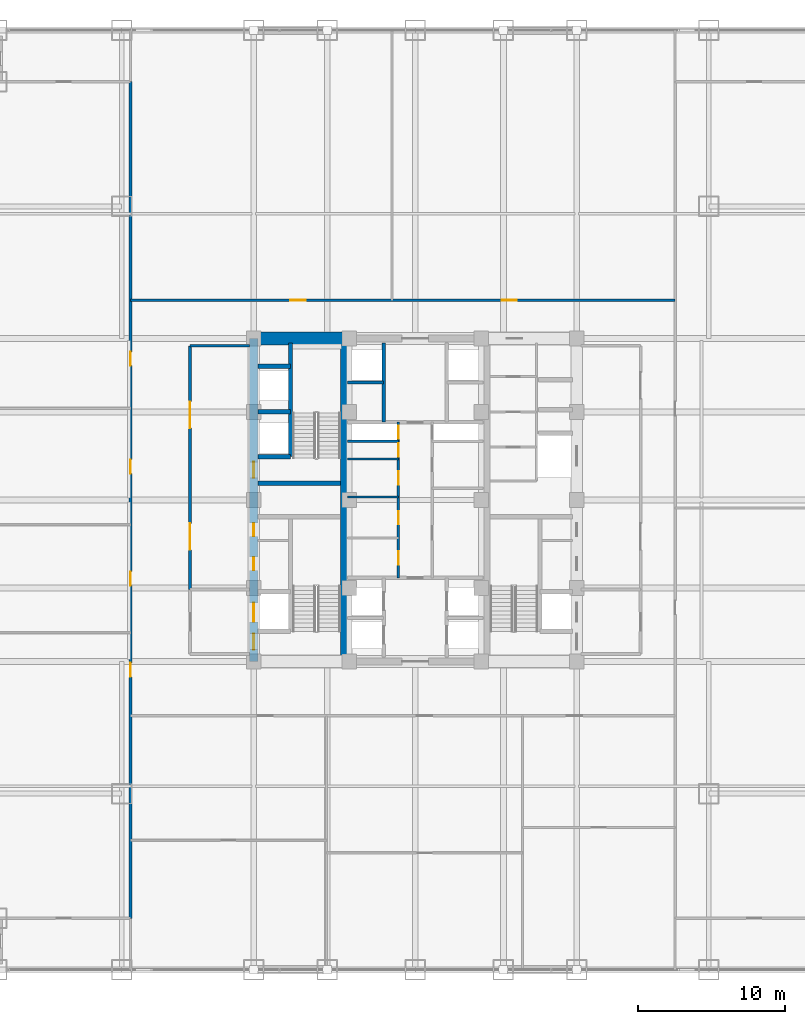
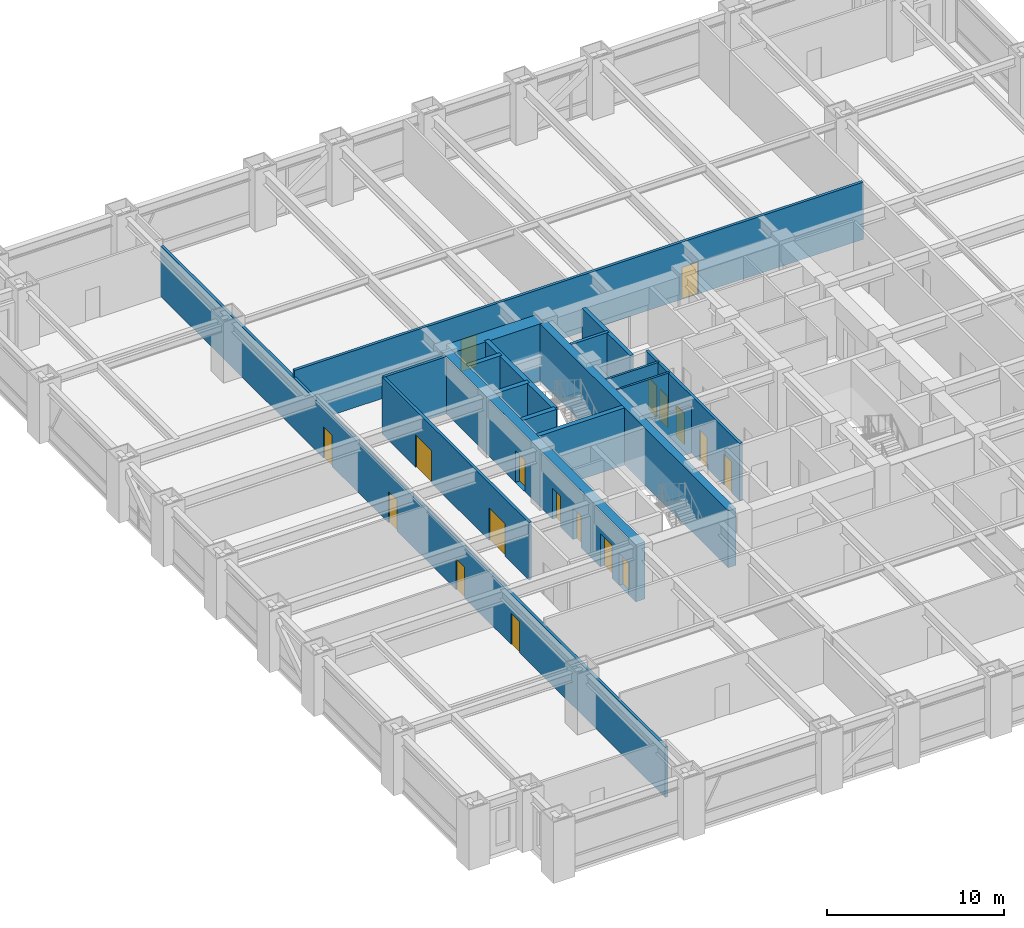
# One storey, part 25 of 28: 18 doors, 18 walls, 18 openings.
"""IFC4 building model written with IfcOpenShell, lengths in metres."""

from ifc_helpers import new_model, si_unit, direction, frame, frame_2d, origin, place, context, subcontext, project, spatial, rectangle, extrude, source, transform, mapped, material, layer, layer_set, type_object, element, fill, save


model = new_model("IFC4")

# Units and contexts
model_context = context("Model", 3, precision=1e-05, world=origin(), true_north=direction((0.0, 1.0)))
body_context = subcontext(model_context, "Body", "Model", "MODEL_VIEW")
ifc_project = project(units=[si_unit("LENGTHUNIT", "METRE"), si_unit("AREAUNIT", "SQUARE_METRE"), si_unit("VOLUMEUNIT", "CUBIC_METRE"), si_unit("PLANEANGLEUNIT", "RADIAN"), si_unit("MASSUNIT", "GRAM", prefix="KILO")], contexts=[model_context])

# Site, building, storey
site_placement = place(None, origin())
site = spatial("IfcSite", under=ifc_project, at=site_placement, CompositionType="ELEMENT")
building_placement = place(site_placement, origin())
building = spatial("IfcBuilding", under=site, at=building_placement, Name="Khorayat Bourse Tower", CompositionType="ELEMENT")
storey_placement = place(building_placement, frame((0.0, 0.0, 66.199951171875)))
storey = spatial("IfcBuildingStorey", under=building, at=storey_placement, Name="L14", CompositionType="ELEMENT", Elevation=66.199951171875)

# Wall, openings, doors
ifc_material_1 = material(Name="Concrete C60/75", Category="concrete")
ifc_layer_1 = layer(ifc_material_1, 0.60009765625)
ifc_layer_set_1 = layer_set([ifc_layer_1], Name="Concrete C60/75")
wall_type_1 = type_object("IfcWallType", Name="WAL-CORE-600", PredefinedType="SHEAR", material=ifc_layer_set_1)
shared_shape_1 = source(origin(), body_context, "Body", "SweptSolid", [
    extrude(rectangle(XDim=22.0, YDim=0.60009765625, at=frame_2d((11.0, 0.0))), origin(), (0.0, 0.0, 1.0), 3.93994140625),
])
wall_1_placement = place(storey_placement, frame((-11.0, -11.0, 0.0), z_axis=(0.0, 0.0, 1.0), x_axis=(0.0, 1.0, 0.0)))
wall_1 = element("IfcWall", 1, at=wall_1_placement, inside=storey, type_object=wall_type_1, Name="L14 Core Shear Wall CORE-W", PredefinedType="SHEAR", context=body_context, shape_type="MappedRepresentation", body=[
    mapped(shared_shape_1, transform((0.0, 0.0, 0.0), scale=1.0)),
])
shared_shape_2 = source(origin(), body_context, "Body", "SweptSolid", [
    extrude(rectangle(XDim=1.10009765625, YDim=2.199951171875, at=frame_2d((0.550048828125, 1.10009765625))), frame((0.0, 0.31005859375, 0.0), z_axis=(0.0, -1.0, 0.0), x_axis=(1.0, 0.0, 0.0)), (0.0, 0.0, 1.0), 0.6201171875),
])
opening_1_placement = place(wall_1_placement, frame((0.800048828125, 0.0, 0.0)))
opening_1 = element("IfcOpeningElement", 2, at=opening_1_placement, cuts=wall_1, Name="Opening DI-01", PredefinedType="OPENING", context=body_context, shape_type="MappedRepresentation", body=[
    mapped(shared_shape_2, transform((0.0, 0.0, 0.0), scale=1.0)),
])
opening_2_placement = place(wall_1_placement, frame((12.5, 0.0, 0.0)))
opening_2 = element("IfcOpeningElement", 3, at=opening_2_placement, cuts=wall_1, Name="Opening DI-01", PredefinedType="OPENING", context=body_context, shape_type="MappedRepresentation", body=[
    mapped(shared_shape_2, transform((0.0, 0.0, 0.0), scale=1.0)),
])
shared_shape_3 = source(origin(), body_context, "Body", "SweptSolid", [
    extrude(rectangle(XDim=0.89990234375, YDim=2.14990234375, at=frame_2d((0.449951171875, 1.074951171875))), frame((0.0, 0.31005859375, 0.0), z_axis=(0.0, -1.0, 0.0), x_axis=(1.0, 0.0, 0.0)), (0.0, 0.0, 1.0), 0.6201171875),
])
opening_3_placement = place(wall_1_placement, frame((6.199951171875, 0.0, 0.0)))
opening_3 = element("IfcOpeningElement", 4, at=opening_3_placement, cuts=wall_1, Name="Opening DI-06", PredefinedType="OPENING", context=body_context, shape_type="MappedRepresentation", body=[
    mapped(shared_shape_3, transform((0.0, 0.0, 0.0), scale=1.0)),
])
opening_4_placement = place(wall_1_placement, frame((8.52490234375, 0.0, 0.0)))
opening_4 = element("IfcOpeningElement", 5, at=opening_4_placement, cuts=wall_1, Name="Opening DI-06", PredefinedType="OPENING", context=body_context, shape_type="MappedRepresentation", body=[
    mapped(shared_shape_3, transform((0.0, 0.0, 0.0), scale=1.0)),
])
shared_shape_4 = source(origin(), body_context, "Body", "SweptSolid", [
    extrude(rectangle(XDim=1.300048828125, YDim=2.300048828125, at=frame_2d((0.64990234375, 1.14990234375))), frame((0.0, 0.31005859375, 0.0), z_axis=(0.0, -1.0, 0.0), x_axis=(1.0, 0.0, 0.0)), (0.0, 0.0, 1.0), 0.6201171875),
])
opening_5_placement = place(wall_1_placement, frame((2.699951171875, 0.0, 0.0)))
opening_5 = element("IfcOpeningElement", 6, at=opening_5_placement, cuts=wall_1, Name="Opening LD-02", PredefinedType="OPENING", context=body_context, shape_type="MappedRepresentation", body=[
    mapped(shared_shape_4, transform((0.0, 0.0, 0.0), scale=1.0)),
])
ifc_material_2 = material(Name="Fire-rated steel acoustic leaf", Category="steel")
door_type_1 = type_object("IfcDoorType", Name="DR-INT-STAIR-1100", OperationType="NOTDEFINED", PredefinedType="DOOR", material=ifc_material_2)
shared_shape_5 = source(origin(), body_context, "Body", "SweptSolid", [
    extrude(rectangle(XDim=1.10009765625, YDim=2.199951171875, at=frame_2d((0.550048828125, 1.10009765625))), frame((0.0, 0.02490234375, 0.0), z_axis=(0.0, -1.0, 0.0), x_axis=(1.0, 0.0, 0.0)), (0.0, 0.0, 1.0), 0.050048828125),
])
door_1_placement = place(opening_1_placement, origin())
door_1 = element("IfcDoor", 7, at=door_1_placement, inside=storey, type_object=door_type_1, Name="L14 Exit Stair 1 Door", OperationType="SINGLE_SWING_RIGHT", OverallHeight=2.199951171875, OverallWidth=1.10009765625, PredefinedType="DOOR", context=body_context, shape_type="MappedRepresentation", body=[
    mapped(shared_shape_5, transform((0.0, 0.0, 0.0), scale=1.0)),
])
fill(opening_1, door_1)
door_2_placement = place(opening_2_placement, origin())
door_2 = element("IfcDoor", 8, at=door_2_placement, inside=storey, type_object=door_type_1, Name="L14 Exit Stair 2 Door", OperationType="SINGLE_SWING_RIGHT", OverallHeight=2.199951171875, OverallWidth=1.10009765625, PredefinedType="DOOR", context=body_context, shape_type="MappedRepresentation", body=[
    mapped(shared_shape_5, transform((0.0, 0.0, 0.0), scale=1.0)),
])
fill(opening_2, door_2)
ifc_material_3 = material(Name="Moisture-resistant laminate washroom door")
door_type_2 = type_object("IfcDoorType", Name="DR-INT-WC-900", OperationType="NOTDEFINED", PredefinedType="DOOR", material=ifc_material_3)
shared_shape_6 = source(origin(), body_context, "Body", "SweptSolid", [
    extrude(rectangle(XDim=0.89990234375, YDim=2.14990234375, at=frame_2d((0.449951171875, 1.074951171875))), frame((0.0, 0.02490234375, 0.0), z_axis=(0.0, -1.0, 0.0), x_axis=(1.0, 0.0, 0.0)), (0.0, 0.0, 1.0), 0.050048828125),
])
door_3_placement = place(opening_3_placement, origin())
door_3 = element("IfcDoor", 9, at=door_3_placement, inside=storey, type_object=door_type_2, Name="L14 Switch Closet Door", OperationType="SINGLE_SWING_RIGHT", OverallHeight=2.14990234375, OverallWidth=0.89990234375, PredefinedType="DOOR", context=body_context, shape_type="MappedRepresentation", body=[
    mapped(shared_shape_6, transform((0.0, 0.0, 0.0), scale=1.0)),
])
fill(opening_3, door_3)
door_4_placement = place(opening_4_placement, origin())
door_4 = element("IfcDoor", 10, at=door_4_placement, inside=storey, type_object=door_type_2, Name="L14 Janitor Store Door", OperationType="SINGLE_SWING_LEFT", OverallHeight=2.14990234375, OverallWidth=0.89990234375, PredefinedType="DOOR", context=body_context, shape_type="MappedRepresentation", body=[
    mapped(shared_shape_6, transform((0.0, 0.0, 0.0), scale=1.0)),
])
fill(opening_4, door_4)
ifc_material_4 = material(Name="Fire-rated stainless-steel sliding landing door", Category="steel")
door_type_3 = type_object("IfcDoorType", Name="DR-LIFT-FF-1300", OperationType="NOTDEFINED", PredefinedType="DOOR", material=ifc_material_4)
shared_shape_7 = source(origin(), body_context, "Body", "SweptSolid", [
    extrude(rectangle(XDim=1.300048828125, YDim=2.300048828125, at=frame_2d((0.64990234375, 1.14990234375))), frame((0.0, 0.02490234375, 0.0), z_axis=(0.0, -1.0, 0.0), x_axis=(1.0, 0.0, 0.0)), (0.0, 0.0, 1.0), 0.050048828125),
])
door_5_placement = place(opening_5_placement, origin())
door_5 = element("IfcDoor", 11, at=door_5_placement, inside=storey, type_object=door_type_3, Name="L14 Lift FFL-01 Sliding Landing Door", OperationType="SLIDING_TO_LEFT", OverallHeight=2.300048828125, OverallWidth=1.300048828125, PredefinedType="DOOR", context=body_context, shape_type="MappedRepresentation", body=[
    mapped(shared_shape_7, transform((0.0, 0.0, 0.0), scale=1.0)),
])
fill(opening_5, door_5)

# Walls
ifc_material_5 = material(Name="Concrete C52/65", Category="concrete")
ifc_layer_2 = layer(ifc_material_5, 0.5)
ifc_layer_set_2 = layer_set([ifc_layer_2], Name="Concrete C52/65")
wall_type_2 = type_object("IfcWallType", Name="WAL-CORE-500", PredefinedType="SHEAR", material=ifc_layer_set_2)
shared_shape_8 = source(origin(), body_context, "Body", "SweptSolid", [
    extrude(rectangle(XDim=21.39990234375, YDim=0.5, at=frame_2d((10.699951171875, 0.0))), origin(), (0.0, 0.0, 1.0), 3.93994140625),
])
wall_2_placement = place(storey_placement, frame((-4.85009765625, -10.699951171875, 0.0), z_axis=(0.0, 0.0, 1.0), x_axis=(0.0, 1.0, 0.0)))
element("IfcWall", 12, at=wall_2_placement, inside=storey, type_object=wall_type_2, Name="L14 Core Shear Wall PIER-W", PredefinedType="SHEAR", context=body_context, shape_type="MappedRepresentation", body=[
    mapped(shared_shape_8, transform((0.0, 0.0, 0.0), scale=1.0)),
])
ifc_material_6 = material(Name="Concrete C72/90", Category="concrete")
ifc_layer_3 = layer(ifc_material_6, 0.89990234375)
ifc_layer_set_3 = layer_set([ifc_layer_3], Name="Concrete C72/90")
wall_type_3 = type_object("IfcWallType", Name="WAL-CORE-900", PredefinedType="SHEAR", material=ifc_layer_set_3)
shared_shape_9 = source(origin(), body_context, "Body", "SweptSolid", [
    extrude(rectangle(XDim=5.849853515625, YDim=0.89990234375, at=frame_2d((2.9248046875, 0.0))), origin(), (0.0, 0.0, 1.0), 3.93994140625),
])
wall_3_placement = place(storey_placement, frame((-10.699951171875, 11.0, 0.0), z_axis=(0.0, 0.0, 1.0), x_axis=(1.0, 0.0, 0.0)))
element("IfcWall", 13, at=wall_3_placement, inside=storey, type_object=wall_type_3, Name="L14 Core Shear Wall PIER-WN", PredefinedType="SHEAR", context=body_context, shape_type="MappedRepresentation", body=[
    mapped(shared_shape_9, transform((0.0, 0.0, 0.0), scale=1.0)),
])
ifc_material_7 = material(Name="Concrete C50/60", Category="concrete")
ifc_layer_4 = layer(ifc_material_7, 0.300048828125)
ifc_layer_set_4 = layer_set([ifc_layer_4], Name="Concrete C50/60")
wall_type_4 = type_object("IfcWallType", Name="WAL-SHAFT-300", PredefinedType="SHEAR", material=ifc_layer_set_4)
shared_shape_10 = source(origin(), body_context, "Body", "SweptSolid", [
    extrude(rectangle(XDim=5.599853515625, YDim=0.300048828125, at=frame_2d((2.7998046875, 0.0))), origin(), (0.0, 0.0, 1.0), 3.93994140625),
])
wall_4_placement = place(storey_placement, frame((-10.699951171875, 1.14990234375, 0.0), z_axis=(0.0, 0.0, 1.0), x_axis=(1.0, 0.0, 0.0)))
element("IfcWall", 14, at=wall_4_placement, inside=storey, type_object=wall_type_4, Name="L14 Core Shear Wall ST2-DIV", PredefinedType="SHEAR", context=body_context, shape_type="MappedRepresentation", body=[
    mapped(shared_shape_10, transform((0.0, 0.0, 0.0), scale=1.0)),
])
shared_shape_11 = source(origin(), body_context, "Body", "SweptSolid", [
    extrude(rectangle(XDim=2.199951171875, YDim=0.300048828125, at=frame_2d((1.10009765625, 0.0))), origin(), (0.0, 0.0, 1.0), 3.93994140625),
])
for number, where, z_axis, x_axis, name in (
    (15, (-10.699951171875, 2.949951171875, 0.0), (0.0, 0.0, 1.0), (1.0, 0.0, 0.0), "L14 Partition WAL-L14-WPIER-H1S"),
    (16, (-10.699951171875, 6.0, 0.0), (0.0, 0.0, 1.0), (1.0, 0.0, 0.0), "L14 Partition WAL-L14-WPIER-H12"),
    (17, (-10.699951171875, 9.10009765625, 0.0), (0.0, 0.0, 1.0), (1.0, 0.0, 0.0), "L14 Partition WAL-L14-WPIER-H2N"),
):
    element("IfcWall", number, at=place(storey_placement, frame(where, z_axis=z_axis, x_axis=x_axis)), inside=storey, type_object=wall_type_4, Name=name, PredefinedType="SHEAR", context=body_context, shape_type="MappedRepresentation", body=[
        mapped(shared_shape_11, transform((0.0, 0.0, 0.0), scale=1.0)),
    ])
shared_shape_12 = source(origin(), body_context, "Body", "SweptSolid", [
    extrude(rectangle(XDim=7.75, YDim=0.300048828125, at=frame_2d((3.875, 0.0))), origin(), (0.0, 0.0, 1.0), 3.93994140625),
])
wall_5_placement = place(storey_placement, frame((-8.5, 2.949951171875, 0.0), z_axis=(0.0, 0.0, 1.0), x_axis=(0.0, 1.0, 0.0)))
element("IfcWall", 18, at=wall_5_placement, inside=storey, type_object=wall_type_4, Name="L14 Partition WAL-L14-WPIER-ST2S", PredefinedType="SHEAR", context=body_context, shape_type="MappedRepresentation", body=[
    mapped(shared_shape_12, transform((0.0, 0.0, 0.0), scale=1.0)),
])
ifc_material_8 = material(Name="Gypsum plasterboard acoustic stud wall")
ifc_layer_5 = layer(ifc_material_8, 0.179931640625)
ifc_layer_set_5 = layer_set([ifc_layer_5], Name="Gypsum plasterboard acoustic stud wall")
wall_type_5 = type_object("IfcWallType", Name="WAL-PART-CORR-180", PredefinedType="PARTITIONING", material=ifc_layer_set_5)
shared_shape_13 = source(origin(), body_context, "Body", "SweptSolid", [
    extrude(rectangle(XDim=4.050048828125, YDim=0.179931640625, at=frame_2d((2.02490234375, 0.0))), origin(), (0.0, 0.0, 1.0), 3.93994140625),
])
wall_6_placement = place(storey_placement, frame((-15.35009765625, 10.5, 0.0), z_axis=(0.0, 0.0, 1.0), x_axis=(1.0, 0.0, 0.0)))
element("IfcWall", 19, at=wall_6_placement, inside=storey, type_object=wall_type_5, Name="L14 Partition WAL-L14-WLOB-N", PredefinedType="PARTITIONING", context=body_context, shape_type="MappedRepresentation", body=[
    mapped(shared_shape_13, transform((0.0, 0.0, 0.0), scale=1.0)),
])

# Wall, openings, doors
shared_shape_14 = source(origin(), body_context, "Body", "SweptSolid", [
    extrude(rectangle(XDim=16.60009765625, YDim=0.179931640625, at=frame_2d((8.300048828125, 0.0))), origin(), (0.0, 0.0, 1.0), 3.93994140625),
])
wall_7_placement = place(storey_placement, frame((-15.35009765625, -6.10009765625, 0.0), z_axis=(0.0, 0.0, 1.0), x_axis=(0.0, 1.0, 0.0)))
wall_7 = element("IfcWall", 20, at=wall_7_placement, inside=storey, type_object=wall_type_5, Name="L14 Partition WAL-L14-WLOB-W", PredefinedType="PARTITIONING", context=body_context, shape_type="MappedRepresentation", body=[
    mapped(shared_shape_14, transform((0.0, 0.0, 0.0), scale=1.0)),
])
shared_shape_15 = source(origin(), body_context, "Body", "SweptSolid", [
    extrude(rectangle(XDim=1.800048828125, YDim=2.25, at=frame_2d((0.89990234375, 1.125))), frame((0.0, 0.099853515625, 0.0), z_axis=(0.0, -1.0, 0.0), x_axis=(1.0, 0.0, 0.0)), (0.0, 0.0, 1.0), 0.199951171875),
])
opening_6_placement = place(wall_7_placement, frame((2.699951171875, 0.0, 0.0)))
opening_6 = element("IfcOpeningElement", 21, at=opening_6_placement, cuts=wall_7, Name="Opening DI-03", PredefinedType="OPENING", context=body_context, shape_type="MappedRepresentation", body=[
    mapped(shared_shape_15, transform((0.0, 0.0, 0.0), scale=1.0)),
])
opening_7_placement = place(wall_7_placement, frame((11.0, 0.0, 0.0)))
opening_7 = element("IfcOpeningElement", 22, at=opening_7_placement, cuts=wall_7, Name="Opening DI-03", PredefinedType="OPENING", context=body_context, shape_type="MappedRepresentation", body=[
    mapped(shared_shape_15, transform((0.0, 0.0, 0.0), scale=1.0)),
])
ifc_material_9 = material(Name="Fire-rated hardwood vision-panel double leaf", Category="wood")
door_type_4 = type_object("IfcDoorType", Name="DR-INT-CORR-1800", OperationType="NOTDEFINED", PredefinedType="DOOR", material=ifc_material_9)
shared_shape_16 = source(origin(), body_context, "Body", "SweptSolid", [
    extrude(rectangle(XDim=1.800048828125, YDim=2.25, at=frame_2d((0.89990234375, 1.125))), frame((0.0, 0.02490234375, 0.0), z_axis=(0.0, -1.0, 0.0), x_axis=(1.0, 0.0, 0.0)), (0.0, 0.0, 1.0), 0.050048828125),
])
door_6_placement = place(opening_6_placement, origin())
door_6 = element("IfcDoor", 23, at=door_6_placement, inside=storey, type_object=door_type_4, Name="L14 West Core Lobby South Door", OperationType="SINGLE_SWING_LEFT", OverallHeight=2.25, OverallWidth=1.800048828125, PredefinedType="DOOR", context=body_context, shape_type="MappedRepresentation", body=[
    mapped(shared_shape_16, transform((0.0, 0.0, 0.0), scale=1.0)),
])
fill(opening_6, door_6)
door_7_placement = place(opening_7_placement, origin())
door_7 = element("IfcDoor", 24, at=door_7_placement, inside=storey, type_object=door_type_4, Name="L14 West Core Lobby North Door", OperationType="SINGLE_SWING_RIGHT", OverallHeight=2.25, OverallWidth=1.800048828125, PredefinedType="DOOR", context=body_context, shape_type="MappedRepresentation", body=[
    mapped(shared_shape_16, transform((0.0, 0.0, 0.0), scale=1.0)),
])
fill(opening_7, door_7)

# Walls
ifc_material_10 = material(Name="Gypsum plasterboard twin-frame partition")
ifc_layer_6 = layer(ifc_material_10, 0.14990234375)
ifc_layer_set_6 = layer_set([ifc_layer_6], Name="Gypsum plasterboard twin-frame partition")
wall_type_6 = type_object("IfcWallType", Name="WAL-PART-SUITE-150", PredefinedType="PARTITIONING", material=ifc_layer_set_6)
shared_shape_17 = source(origin(), body_context, "Body", "SweptSolid", [
    extrude(rectangle(XDim=3.4501953125, YDim=0.14990234375, at=frame_2d((1.72509765625, 0.0))), origin(), (0.0, 0.0, 1.0), 3.93994140625),
])
wall_8_placement = place(storey_placement, frame((-4.60009765625, 4.0, 0.0), z_axis=(0.0, 0.0, 1.0), x_axis=(1.0, 0.0, 0.0)))
element("IfcWall", 25, at=wall_8_placement, inside=storey, type_object=wall_type_6, Name="L14 Partition WAL-L14-CRSW-S", PredefinedType="PARTITIONING", context=body_context, shape_type="MappedRepresentation", body=[
    mapped(shared_shape_17, transform((0.0, 0.0, 0.0), scale=1.0)),
])
shared_shape_18 = source(origin(), body_context, "Body", "SweptSolid", [
    extrude(rectangle(XDim=5.39990234375, YDim=0.25, at=frame_2d((2.699951171875, 0.0))), origin(), (0.0, 0.0, 1.0), 3.93994140625),
])
wall_9_placement = place(storey_placement, frame((-2.14990234375, 5.300048828125, 0.0), z_axis=(0.0, 0.0, 1.0), x_axis=(0.0, 1.0, 0.0)))
element("IfcWall", 26, at=wall_9_placement, inside=storey, type_object=wall_type_4, Name="L14 Partition WAL-L14-B2-W", PredefinedType="SHEAR", context=body_context, shape_type="MappedRepresentation", body=[
    mapped(shared_shape_18, transform((0.0, 0.0, 0.0), scale=1.0)),
])
shared_shape_19 = source(origin(), body_context, "Body", "SweptSolid", [
    extrude(rectangle(XDim=2.4501953125, YDim=0.199951171875, at=frame_2d((1.22509765625, 0.0))), origin(), (0.0, 0.0, 1.0), 3.93994140625),
])
wall_10_placement = place(storey_placement, frame((-4.60009765625, 8.0, 0.0), z_axis=(0.0, 0.0, 1.0), x_axis=(1.0, 0.0, 0.0)))
element("IfcWall", 27, at=wall_10_placement, inside=storey, type_object=wall_type_4, Name="L14 Partition WAL-L14-B2-MW", PredefinedType="SHEAR", context=body_context, shape_type="MappedRepresentation", body=[
    mapped(shared_shape_19, transform((0.0, 0.0, 0.0), scale=1.0)),
])
ifc_material_11 = material(Name="Moisture-resistant masonry partition", Category="masonry")
ifc_layer_7 = layer(ifc_material_11, 0.139892578125)
ifc_layer_set_7 = layer_set([ifc_layer_7], Name="Moisture-resistant masonry partition")
wall_type_7 = type_object("IfcWallType", Name="WAL-PART-WET-140", PredefinedType="PARTITIONING", material=ifc_layer_set_7)
shared_shape_20 = source(origin(), body_context, "Body", "SweptSolid", [
    extrude(rectangle(XDim=3.4501953125, YDim=0.139892578125, at=frame_2d((1.72509765625, 0.0))), origin(), (0.0, 0.0, 1.0), 3.93994140625),
])
wall_11_placement = place(storey_placement, frame((-4.60009765625, 2.800048828125, 0.0), z_axis=(0.0, 0.0, 1.0), x_axis=(1.0, 0.0, 0.0)))
element("IfcWall", 28, at=wall_11_placement, inside=storey, type_object=wall_type_7, Name="L14 Partition WAL-L14-CMW-D3", PredefinedType="PARTITIONING", context=body_context, shape_type="MappedRepresentation", body=[
    mapped(shared_shape_20, transform((0.0, 0.0, 0.0), scale=1.0)),
])

# Wall, openings, doors
shared_shape_21 = source(origin(), body_context, "Body", "SweptSolid", [
    extrude(rectangle(XDim=10.60009765625, YDim=0.179931640625, at=frame_2d((5.300048828125, 0.0))), origin(), (0.0, 0.0, 1.0), 3.93994140625),
])
wall_12_placement = place(storey_placement, frame((-1.14990234375, -5.300048828125, 0.0), z_axis=(0.0, 0.0, 1.0), x_axis=(0.0, 1.0, 0.0)))
wall_12 = element("IfcWall", 29, at=wall_12_placement, inside=storey, type_object=wall_type_5, Name="L14 Partition WAL-L14-CMW-L", PredefinedType="PARTITIONING", context=body_context, shape_type="MappedRepresentation", body=[
    mapped(shared_shape_21, transform((0.0, 0.0, 0.0), scale=1.0)),
])
shared_shape_22 = source(origin(), body_context, "Body", "SweptSolid", [
    extrude(rectangle(XDim=0.89990234375, YDim=2.14990234375, at=frame_2d((0.449951171875, 1.074951171875))), frame((0.0, 0.099853515625, 0.0), z_axis=(0.0, -1.0, 0.0), x_axis=(1.0, 0.0, 0.0)), (0.0, 0.0, 1.0), 0.199951171875),
])
opening_8_placement = place(wall_12_placement, frame((0.89990234375, 0.0, 0.0)))
opening_8 = element("IfcOpeningElement", 30, at=opening_8_placement, cuts=wall_12, Name="Opening DI-06", PredefinedType="OPENING", context=body_context, shape_type="MappedRepresentation", body=[
    mapped(shared_shape_22, transform((0.0, 0.0, 0.0), scale=1.0)),
])
opening_9_placement = place(wall_12_placement, frame((3.64990234375, 0.0, 0.0)))
opening_9 = element("IfcOpeningElement", 31, at=opening_9_placement, cuts=wall_12, Name="Opening DI-06", PredefinedType="OPENING", context=body_context, shape_type="MappedRepresentation", body=[
    mapped(shared_shape_22, transform((0.0, 0.0, 0.0), scale=1.0)),
])
opening_10_placement = place(wall_12_placement, frame((6.35009765625, 0.0, 0.0)))
opening_10 = element("IfcOpeningElement", 32, at=opening_10_placement, cuts=wall_12, Name="Opening DI-06", PredefinedType="OPENING", context=body_context, shape_type="MappedRepresentation", body=[
    mapped(shared_shape_22, transform((0.0, 0.0, 0.0), scale=1.0)),
])
opening_11_placement = place(wall_12_placement, frame((8.25, 0.0, 0.0)))
opening_11 = element("IfcOpeningElement", 33, at=opening_11_placement, cuts=wall_12, Name="Opening DI-06", PredefinedType="OPENING", context=body_context, shape_type="MappedRepresentation", body=[
    mapped(shared_shape_22, transform((0.0, 0.0, 0.0), scale=1.0)),
])
opening_12_placement = place(wall_12_placement, frame((9.47509765625, 0.0, 0.0)))
opening_12 = element("IfcOpeningElement", 34, at=opening_12_placement, cuts=wall_12, Name="Opening DI-06", PredefinedType="OPENING", context=body_context, shape_type="MappedRepresentation", body=[
    mapped(shared_shape_22, transform((0.0, 0.0, 0.0), scale=1.0)),
])
door_8_placement = place(opening_8_placement, origin())
door_8 = element("IfcDoor", 35, at=door_8_placement, inside=storey, type_object=door_type_2, Name="L14 Cleaners Store Door", OperationType="SINGLE_SWING_RIGHT", OverallHeight=2.14990234375, OverallWidth=0.89990234375, PredefinedType="DOOR", context=body_context, shape_type="MappedRepresentation", body=[
    mapped(shared_shape_6, transform((0.0, 0.0, 0.0), scale=1.0)),
])
fill(opening_8, door_8)
door_9_placement = place(opening_9_placement, origin())
door_9 = element("IfcDoor", 36, at=door_9_placement, inside=storey, type_object=door_type_2, Name="L14 Male Core Washroom Door", OperationType="SINGLE_SWING_LEFT", OverallHeight=2.14990234375, OverallWidth=0.89990234375, PredefinedType="DOOR", context=body_context, shape_type="MappedRepresentation", body=[
    mapped(shared_shape_6, transform((0.0, 0.0, 0.0), scale=1.0)),
])
fill(opening_9, door_9)
door_10_placement = place(opening_10_placement, origin())
door_10 = element("IfcDoor", 37, at=door_10_placement, inside=storey, type_object=door_type_2, Name="L14 Electrical Closet Door", OperationType="SINGLE_SWING_RIGHT", OverallHeight=2.14990234375, OverallWidth=0.89990234375, PredefinedType="DOOR", context=body_context, shape_type="MappedRepresentation", body=[
    mapped(shared_shape_6, transform((0.0, 0.0, 0.0), scale=1.0)),
])
fill(opening_10, door_10)
door_11_placement = place(opening_11_placement, origin())
door_11 = element("IfcDoor", 38, at=door_11_placement, inside=storey, type_object=door_type_2, Name="L14 Archive Cupboard Door", OperationType="SINGLE_SWING_LEFT", OverallHeight=2.14990234375, OverallWidth=0.89990234375, PredefinedType="DOOR", context=body_context, shape_type="MappedRepresentation", body=[
    mapped(shared_shape_6, transform((0.0, 0.0, 0.0), scale=1.0)),
])
fill(opening_11, door_11)
door_12_placement = place(opening_12_placement, origin())
door_12 = element("IfcDoor", 39, at=door_12_placement, inside=storey, type_object=door_type_2, Name="L14 West Core Riser Door", OperationType="SINGLE_SWING_LEFT", OverallHeight=2.14990234375, OverallWidth=0.89990234375, PredefinedType="DOOR", context=body_context, shape_type="MappedRepresentation", body=[
    mapped(shared_shape_6, transform((0.0, 0.0, 0.0), scale=1.0)),
])
fill(opening_12, door_12)

shared_shape_23 = source(origin(), body_context, "Body", "SweptSolid", [
    extrude(rectangle(XDim=57.0, YDim=0.179931640625, at=frame_2d((28.5, 0.0))), origin(), (0.0, 0.0, 1.0), 3.470947265625),
])
wall_13_placement = place(storey_placement, frame((-19.39990234375, -28.5, 0.0), z_axis=(0.0, 0.0, 1.0), x_axis=(0.0, 1.0, 0.0)))
wall_13 = element("IfcWall", 40, at=wall_13_placement, inside=storey, type_object=wall_type_5, Name="L14 Partition WAL-L14-WCORR", PredefinedType="PARTITIONING", context=body_context, shape_type="MappedRepresentation", body=[
    mapped(shared_shape_23, transform((0.0, 0.0, 0.0), scale=1.0)),
])
shared_shape_24 = source(origin(), body_context, "Body", "SweptSolid", [
    extrude(rectangle(XDim=0.949951171875, YDim=2.14990234375, at=frame_2d((0.47509765625, 1.074951171875))), frame((0.0, 0.099853515625, 0.0), z_axis=(0.0, -1.0, 0.0), x_axis=(1.0, 0.0, 0.0)), (0.0, 0.0, 1.0), 0.199951171875),
])
opening_13_placement = place(wall_13_placement, frame((16.455078125, 0.0, 0.0)))
opening_13 = element("IfcOpeningElement", 41, at=opening_13_placement, cuts=wall_13, Name="Opening DI-05", PredefinedType="OPENING", context=body_context, shape_type="MappedRepresentation", body=[
    mapped(shared_shape_24, transform((0.0, 0.0, 0.0), scale=1.0)),
])
opening_14_placement = place(wall_13_placement, frame((22.6640625, 0.0, 0.0)))
opening_14 = element("IfcOpeningElement", 42, at=opening_14_placement, cuts=wall_13, Name="Opening DI-05", PredefinedType="OPENING", context=body_context, shape_type="MappedRepresentation", body=[
    mapped(shared_shape_24, transform((0.0, 0.0, 0.0), scale=1.0)),
])
opening_15_placement = place(wall_13_placement, frame((30.304931640625, 0.0, 0.0)))
opening_15 = element("IfcOpeningElement", 43, at=opening_15_placement, cuts=wall_13, Name="Opening DI-05", PredefinedType="OPENING", context=body_context, shape_type="MappedRepresentation", body=[
    mapped(shared_shape_24, transform((0.0, 0.0, 0.0), scale=1.0)),
])
opening_16_placement = place(wall_13_placement, frame((37.64599609375, 0.0, 0.0)))
opening_16 = element("IfcOpeningElement", 44, at=opening_16_placement, cuts=wall_13, Name="Opening DI-05", PredefinedType="OPENING", context=body_context, shape_type="MappedRepresentation", body=[
    mapped(shared_shape_24, transform((0.0, 0.0, 0.0), scale=1.0)),
])
ifc_material_12 = material(Name="Acoustic oak veneer office door")
door_type_5 = type_object("IfcDoorType", Name="DR-INT-OFFICE-950", OperationType="NOTDEFINED", PredefinedType="DOOR", material=ifc_material_12)
shared_shape_25 = source(origin(), body_context, "Body", "SweptSolid", [
    extrude(rectangle(XDim=0.949951171875, YDim=2.14990234375, at=frame_2d((0.47509765625, 1.074951171875))), frame((0.0, 0.02490234375, 0.0), z_axis=(0.0, -1.0, 0.0), x_axis=(1.0, 0.0, 0.0)), (0.0, 0.0, 1.0), 0.050048828125),
])
door_13_placement = place(opening_13_placement, origin())
door_13 = element("IfcDoor", 45, at=door_13_placement, inside=storey, type_object=door_type_5, Name="L14 Public Washrooms and Restrooms W1 Door", OperationType="SINGLE_SWING_RIGHT", OverallHeight=2.14990234375, OverallWidth=0.949951171875, PredefinedType="DOOR", context=body_context, shape_type="MappedRepresentation", body=[
    mapped(shared_shape_25, transform((0.0, 0.0, 0.0), scale=1.0)),
])
fill(opening_13, door_13)
door_14_placement = place(opening_14_placement, origin())
door_14 = element("IfcDoor", 46, at=door_14_placement, inside=storey, type_object=door_type_5, Name="L14 Floor Reception Concierge W2 Door", OperationType="SINGLE_SWING_LEFT", OverallHeight=2.14990234375, OverallWidth=0.949951171875, PredefinedType="DOOR", context=body_context, shape_type="MappedRepresentation", body=[
    mapped(shared_shape_25, transform((0.0, 0.0, 0.0), scale=1.0)),
])
fill(opening_14, door_14)
door_15_placement = place(opening_15_placement, origin())
door_15 = element("IfcDoor", 47, at=door_15_placement, inside=storey, type_object=door_type_5, Name="L14 Occupational First Aid Clinic W3 Door", OperationType="SINGLE_SWING_RIGHT", OverallHeight=2.14990234375, OverallWidth=0.949951171875, PredefinedType="DOOR", context=body_context, shape_type="MappedRepresentation", body=[
    mapped(shared_shape_25, transform((0.0, 0.0, 0.0), scale=1.0)),
])
fill(opening_15, door_15)
door_16_placement = place(opening_16_placement, origin())
door_16 = element("IfcDoor", 48, at=door_16_placement, inside=storey, type_object=door_type_5, Name="L14 Members Exchange Lounge W4 Door", OperationType="SINGLE_SWING_LEFT", OverallHeight=2.14990234375, OverallWidth=0.949951171875, PredefinedType="DOOR", context=body_context, shape_type="MappedRepresentation", body=[
    mapped(shared_shape_25, transform((0.0, 0.0, 0.0), scale=1.0)),
])
fill(opening_16, door_16)

shared_shape_26 = source(origin(), body_context, "Body", "SweptSolid", [
    extrude(rectangle(XDim=37.099853515625, YDim=0.179931640625, at=frame_2d((18.5498046875, 0.0))), origin(), (0.0, 0.0, 1.0), 3.93994140625),
])
wall_14_placement = place(storey_placement, frame((-19.39990234375, 13.60009765625, 0.0), z_axis=(0.0, 0.0, 1.0), x_axis=(1.0, 0.0, 0.0)))
wall_14 = element("IfcWall", 49, at=wall_14_placement, inside=storey, type_object=wall_type_5, Name="L14 Partition WAL-L14-NCORR", PredefinedType="PARTITIONING", context=body_context, shape_type="MappedRepresentation", body=[
    mapped(shared_shape_26, transform((0.0, 0.0, 0.0), scale=1.0)),
])
shared_shape_27 = source(origin(), body_context, "Body", "SweptSolid", [
    extrude(rectangle(XDim=1.050048828125, YDim=2.199951171875, at=frame_2d((0.52490234375, 1.10009765625))), frame((0.0, 0.099853515625, 0.0), z_axis=(0.0, -1.0, 0.0), x_axis=(1.0, 0.0, 0.0)), (0.0, 0.0, 1.0), 0.199951171875),
])
opening_17_placement = place(wall_14_placement, frame((10.87890625, 0.0, 0.0)))
opening_17 = element("IfcOpeningElement", 50, at=opening_17_placement, cuts=wall_14, Name="Opening DI-04", PredefinedType="OPENING", context=body_context, shape_type="MappedRepresentation", body=[
    mapped(shared_shape_27, transform((0.0, 0.0, 0.0), scale=1.0)),
])
opening_18_placement = place(wall_14_placement, frame((25.279052734375, 0.0, 0.0)))
opening_18 = element("IfcOpeningElement", 51, at=opening_18_placement, cuts=wall_14, Name="Opening DI-04", PredefinedType="OPENING", context=body_context, shape_type="MappedRepresentation", body=[
    mapped(shared_shape_27, transform((0.0, 0.0, 0.0), scale=1.0)),
])
ifc_material_13 = material(Name="Fire-rated oak veneer suite entrance door")
door_type_6 = type_object("IfcDoorType", Name="DR-INT-SUITE-1050", OperationType="NOTDEFINED", PredefinedType="DOOR", material=ifc_material_13)
shared_shape_28 = source(origin(), body_context, "Body", "SweptSolid", [
    extrude(rectangle(XDim=1.050048828125, YDim=2.199951171875, at=frame_2d((0.52490234375, 1.10009765625))), frame((0.0, 0.02490234375, 0.0), z_axis=(0.0, -1.0, 0.0), x_axis=(1.0, 0.0, 0.0)), (0.0, 0.0, 1.0), 0.050048828125),
])
door_17_placement = place(opening_17_placement, origin())
door_17 = element("IfcDoor", 52, at=door_17_placement, inside=storey, type_object=door_type_6, Name="L14 Catering Servery Kitchen N1 Door", OperationType="SINGLE_SWING_RIGHT", OverallHeight=2.199951171875, OverallWidth=1.050048828125, PredefinedType="DOOR", context=body_context, shape_type="MappedRepresentation", body=[
    mapped(shared_shape_28, transform((0.0, 0.0, 0.0), scale=1.0)),
])
fill(opening_17, door_17)
door_18_placement = place(opening_18_placement, origin())
door_18 = element("IfcDoor", 53, at=door_18_placement, inside=storey, type_object=door_type_6, Name="L14 Staff Tea Pantry N2 Door", OperationType="SINGLE_SWING_LEFT", OverallHeight=2.199951171875, OverallWidth=1.050048828125, PredefinedType="DOOR", context=body_context, shape_type="MappedRepresentation", body=[
    mapped(shared_shape_28, transform((0.0, 0.0, 0.0), scale=1.0)),
])
fill(opening_18, door_18)

# Wall
shared_shape_29 = source(origin(), body_context, "Body", "SweptSolid", [
    extrude(rectangle(XDim=3.4501953125, YDim=0.139892578125, at=frame_2d((1.72509765625, 0.0))), origin(), (0.0, 0.0, 1.0), 3.2451171875),
])
wall_15_placement = place(storey_placement, frame((-4.60009765625, 0.199951171875, 0.0), z_axis=(0.0, 0.0, 1.0), x_axis=(1.0, 0.0, 0.0)))
element("IfcWall", 54, at=wall_15_placement, inside=storey, type_object=wall_type_7, Name="L14 Partition WAL-L14-CMW-D2", PredefinedType="PARTITIONING", context=body_context, shape_type="MappedRepresentation", body=[
    mapped(shared_shape_29, transform((0.0, 0.0, 0.0), scale=1.0)),
])

save(model, "model.ifc")
